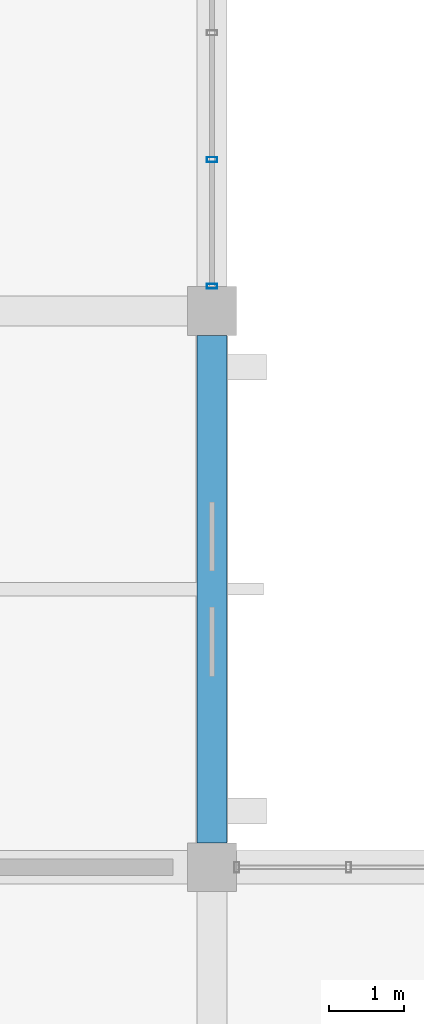
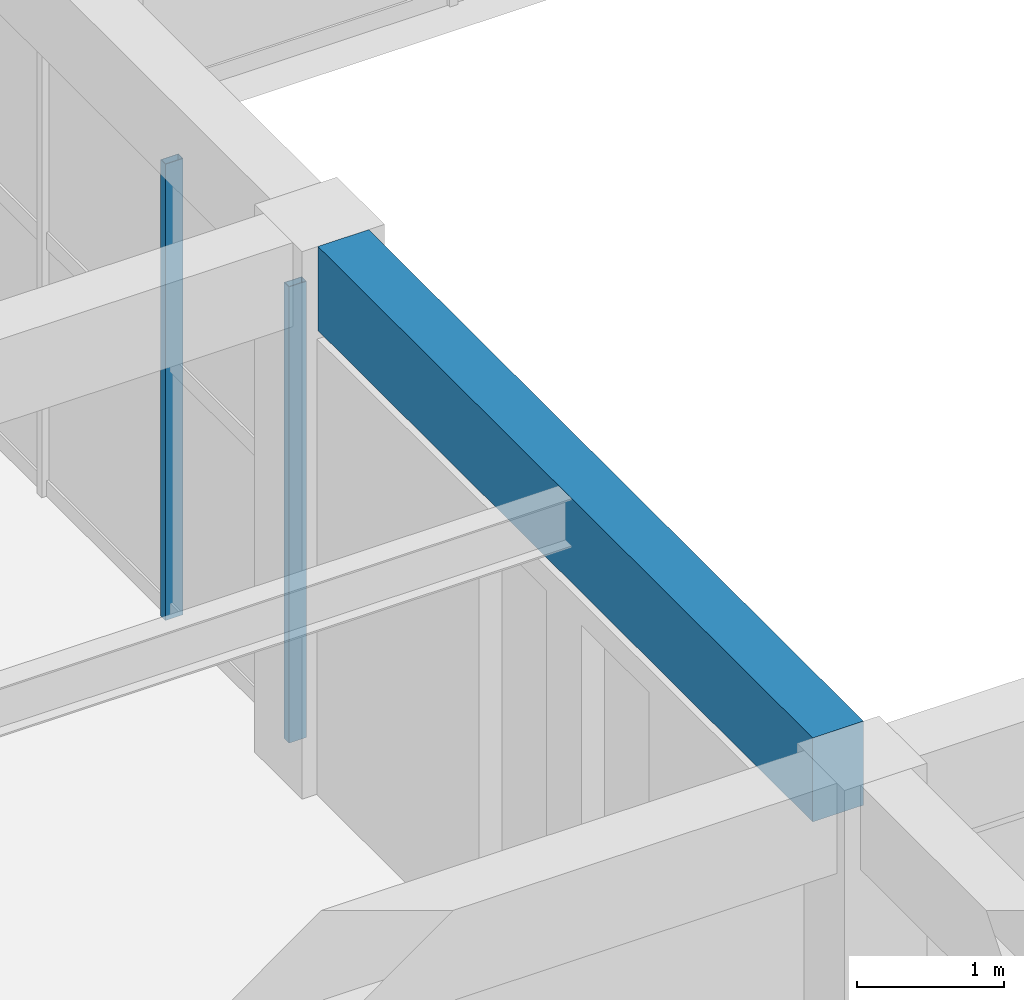
# One storey, part 108 of 161: 2 members, 1 beam, 1 element without a shape of its own.
"""IFC4 building model written with IfcOpenShell, lengths in metres."""

from ifc_helpers import new_model, si_unit, direction, frame, origin, origin_2d, place, context, subcontext, project, spatial, rectangle, hollow_rectangle, extrude, material, material_profile, profile_set, type_object, element, aggregate, save


model = new_model("IFC4")

# Units and contexts
model_context = context("Model", 3, precision=1e-05, world=origin(), true_north=direction((0.0, 1.0)))
body_context = subcontext(model_context, "Body", "Model", "MODEL_VIEW")
ifc_project = project(units=[si_unit("LENGTHUNIT", "METRE"), si_unit("AREAUNIT", "SQUARE_METRE"), si_unit("VOLUMEUNIT", "CUBIC_METRE"), si_unit("PLANEANGLEUNIT", "RADIAN"), si_unit("MASSUNIT", "GRAM", prefix="KILO")], contexts=[model_context])

# Site, building, storey
site_placement = place(None, origin())
site = spatial("IfcSite", under=ifc_project, at=site_placement, CompositionType="ELEMENT")
building_placement = place(site_placement, origin())
building = spatial("IfcBuilding", under=site, at=building_placement, Name="Cimatlan Art Gallery", CompositionType="ELEMENT")
storey_placement = place(building_placement, frame((0.0, 0.0, 5.39990234375)))
storey = spatial("IfcBuildingStorey", under=building, at=storey_placement, Name="L01", CompositionType="ELEMENT", Elevation=5.39990234375)

# Beam
ifc_material_1 = material(Name="Concrete C40/50", Category="concrete")
ifc_material_profile_1 = material_profile(ifc_material_1, rectangle(XDim=0.39990234375, YDim=0.699951171875, at=origin_2d()), Name="RC400X700")
ifc_profile_set_1 = profile_set([ifc_material_profile_1], Name="Concrete C40/50")
beam_type = type_object("IfcBeamType", Name="BM-RC-400X700", PredefinedType="BEAM", material=ifc_profile_set_1)
beam_placement = place(storey_placement, frame((131.60009765625, 39.02490234375, 4.210205078125), z_axis=(0.0, 1.0, 0.0), x_axis=(-1.0, 0.0, 0.0)))
element("IfcBeam", 1, at=beam_placement, inside=storey, type_object=beam_type, Name="BM-Y-L01-16-05", PredefinedType="BEAM", context=body_context, shape_type="SweptSolid", body=[
    extrude(rectangle(XDim=0.39990234375, YDim=0.699951171875, at=origin_2d()), origin(), (0.0, 0.0, 1.0), 6.75),
])

# Curtain wall, members
ifc_material_2 = material(Name="Anodised bronze unitised curtain wall")
curtain_wall_type = type_object("IfcCurtainWallType", Name="CW-V-06742X03800-B4", PredefinedType="NOTDEFINED", material=ifc_material_2)
curtain_wall_placement = place(storey_placement, origin())
curtain_wall = element("IfcCurtainWall", 2, at=curtain_wall_placement, inside=storey, type_object=curtain_wall_type, Name="CW-L01-15-06-E", PredefinedType="NOTDEFINED")
ifc_material_3 = material(Name="Anodised bronze aluminium 6063-T6", Category="aluminium")
ifc_material_profile_2 = material_profile(ifc_material_3, hollow_rectangle(XDim=0.06494140625, YDim=0.139892578125, WallThickness=0.00390625, at=origin_2d()), Name="ALU65X140X4")
ifc_profile_set_2 = profile_set([ifc_material_profile_2], Name="Anodised bronze aluminium 6063-T6")
member_type = type_object("IfcMemberType", Name="CW-MUL-140", PredefinedType="MULLION", material=ifc_profile_set_2)
member_1_placement = place(storey_placement, frame((131.60009765625, 48.114501953125, 0.0), z_axis=(0.0, 0.0, 1.0), x_axis=(0.0, 1.0, 0.0)))
member_1 = element("IfcMember", 3, at=member_1_placement, type_object=member_type, Name="CW-L01-15-06-E-M4", PredefinedType="MULLION", context=body_context, shape_type="SweptSolid", body=[
    extrude(hollow_rectangle(XDim=0.06494140625, YDim=0.139892578125, WallThickness=0.00390625, at=origin_2d()), origin(), (0.0, 0.0, 1.0), 3.800048828125),
])
member_2_placement = place(storey_placement, frame((131.60009765625, 46.428955078125, 0.0), z_axis=(0.0, 0.0, 1.0), x_axis=(0.0, 1.0, 0.0)))
member_2 = element("IfcMember", 4, at=member_2_placement, type_object=member_type, Name="CW-L01-15-06-E-M5", PredefinedType="MULLION", context=body_context, shape_type="SweptSolid", body=[
    extrude(hollow_rectangle(XDim=0.06494140625, YDim=0.139892578125, WallThickness=0.00390625, at=origin_2d()), origin(), (0.0, 0.0, 1.0), 3.800048828125),
])
aggregate(curtain_wall, [member_1, member_2])

save(model, "model.ifc")
